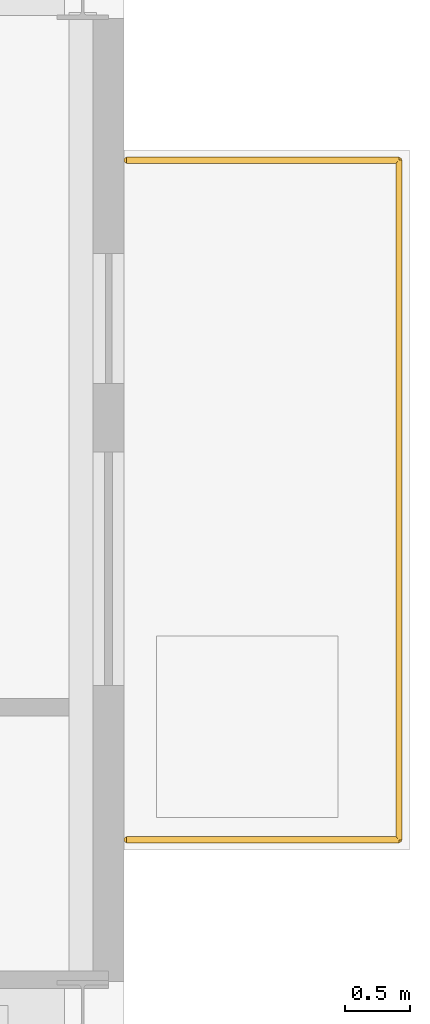
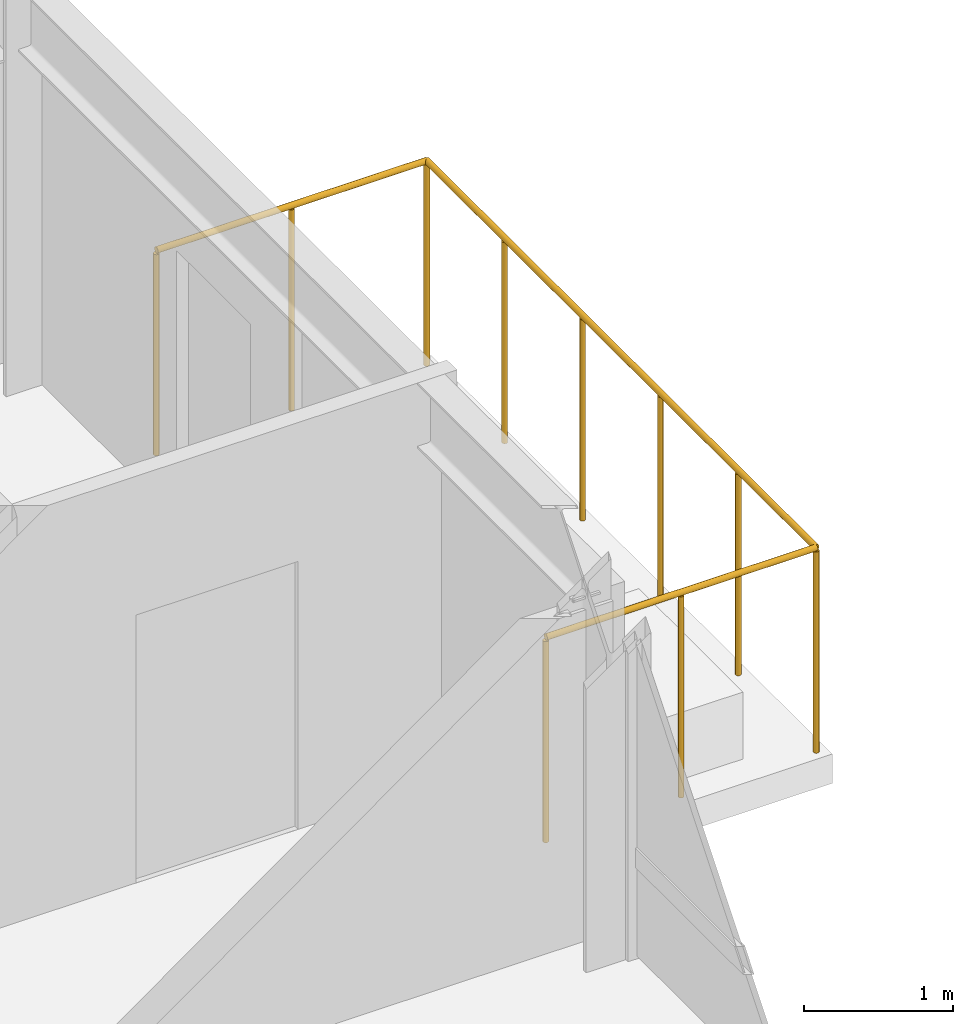
# One storey, part 34 of 34: 1 railing.
"""IFC4 building model written with IfcOpenShell, lengths in metres."""

from ifc_helpers import new_model, si_unit, direction, frame, origin, origin_2d, place, context, subcontext, project, spatial, circle, extrude, material, type_object, element, save


model = new_model("IFC4")

# Units and contexts
model_context = context("Model", 3, precision=1e-05, world=origin(), true_north=direction((0.0, 1.0)))
body_context = subcontext(model_context, "Body", "Model", "MODEL_VIEW")
ifc_project = project(units=[si_unit("LENGTHUNIT", "METRE"), si_unit("AREAUNIT", "SQUARE_METRE"), si_unit("VOLUMEUNIT", "CUBIC_METRE"), si_unit("PLANEANGLEUNIT", "RADIAN"), si_unit("MASSUNIT", "GRAM", prefix="KILO")], contexts=[model_context])

# Site, building, storey
site_placement = place(None, origin())
site = spatial("IfcSite", under=ifc_project, at=site_placement, CompositionType="ELEMENT")
building_placement = place(site_placement, origin())
building = spatial("IfcBuilding", under=site, at=building_placement, Name="Drelvath Grand Hotel", CompositionType="ELEMENT")
storey_placement = place(building_placement, frame((0.0, 0.0, 208.699951171875)))
storey = spatial("IfcBuildingStorey", under=building, at=storey_placement, Name="L54", CompositionType="ELEMENT", Elevation=208.699951171875)

# Railing
ifc_material = material(Name="Anodised Aluminium and Laminated Glass Balustrade", Category="aluminium")
railing_type = type_object("IfcRailingType", Name="Raised Planter Edge Balustrade 1700", PredefinedType="BALUSTRADE", material=ifc_material)
railing_placement = place(storey_placement, frame((22.219970703125, 36.679931640625, 0.0)))
element("IfcRailing", 1, at=railing_placement, inside=storey, type_object=railing_type, Name="L54 Tree Balcony Perimeter Balustrade 1", PredefinedType="BALUSTRADE", context=body_context, shape_type="SweptSolid", body=[
    extrude(circle(Radius=0.02392578125, at=origin_2d()), frame((0.0, 0.0, 1.67578125), z_axis=(1.0, 0.0, 0.0), x_axis=(0.0, 1.0, 0.0)), (0.0, 0.0, 1.0), 2.10009765625),
    extrude(circle(Radius=0.02392578125, at=origin_2d()), frame((2.10009765625, 0.0, 1.67578125), z_axis=(0.0, 1.0, 0.0), x_axis=(-1.0, 0.0, 0.0)), (0.0, 0.0, 1.0), 5.239990234375),
    extrude(circle(Radius=0.02392578125, at=origin_2d()), frame((2.10009765625, 5.239990234375, 1.67578125), z_axis=(-1.0, 0.0, 0.0), x_axis=(0.0, -1.0, 0.0)), (0.0, 0.0, 1.0), 2.10009765625),
    extrude(circle(Radius=0.02099609375, at=origin_2d()), origin(), (0.0, 0.0, 1.0), 1.65185546875),
    extrude(circle(Radius=0.02099609375, at=origin_2d()), frame((1.050048828125, 0.0, 0.0)), (0.0, 0.0, 1.0), 1.65185546875),
    extrude(circle(Radius=0.02099609375, at=origin_2d()), frame((2.10009765625, 0.0, 0.0)), (0.0, 0.0, 1.0), 1.65185546875),
    extrude(circle(Radius=0.02099609375, at=origin_2d()), frame((2.10009765625, 1.048095703125, 0.0)), (0.0, 0.0, 1.0), 1.65185546875),
    extrude(circle(Radius=0.02099609375, at=origin_2d()), frame((2.10009765625, 2.095947265625, 0.0)), (0.0, 0.0, 1.0), 1.65185546875),
    extrude(circle(Radius=0.02099609375, at=origin_2d()), frame((2.10009765625, 3.14404296875, 0.0)), (0.0, 0.0, 1.0), 1.65185546875),
    extrude(circle(Radius=0.02099609375, at=origin_2d()), frame((2.10009765625, 4.19189453125, 0.0)), (0.0, 0.0, 1.0), 1.65185546875),
    extrude(circle(Radius=0.02099609375, at=origin_2d()), frame((2.10009765625, 5.239990234375, 0.0)), (0.0, 0.0, 1.0), 1.65185546875),
    extrude(circle(Radius=0.02099609375, at=origin_2d()), frame((1.050048828125, 5.239990234375, 0.0)), (0.0, 0.0, 1.0), 1.65185546875),
    extrude(circle(Radius=0.02099609375, at=origin_2d()), frame((0.0, 5.239990234375, 0.0)), (0.0, 0.0, 1.0), 1.65185546875),
])

save(model, "model.ifc")
